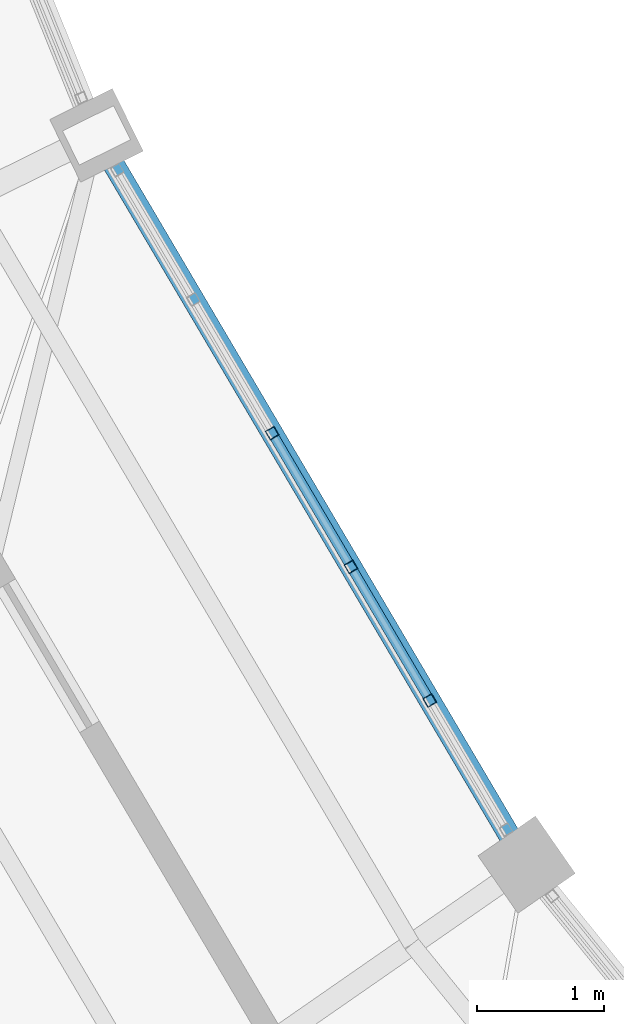
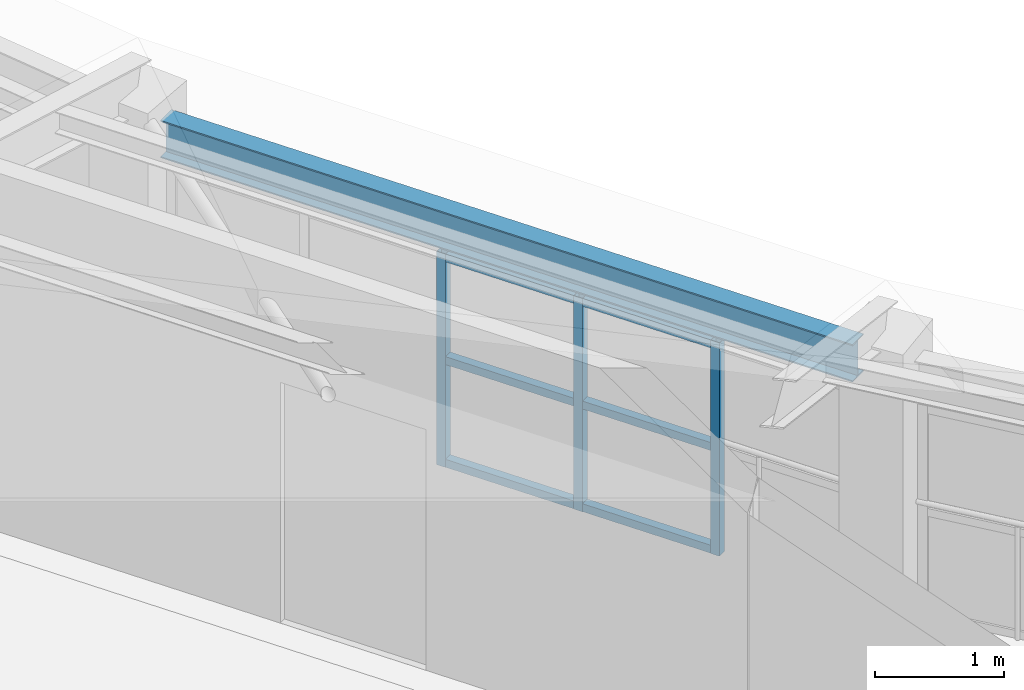
# One storey, part 27 of 149: 9 members, 1 beam, 1 element without a shape of its own.
"""IFC4 building model written with IfcOpenShell, lengths in metres."""

from ifc_helpers import new_model, si_unit, direction, frame, origin, origin_2d, place, context, subcontext, project, spatial, hollow_rectangle, i_section, extrude, material, material_profile, profile_set, type_object, element, aggregate, save


model = new_model("IFC4")

# Units and contexts
model_context = context("Model", 3, precision=1e-05, world=origin(), true_north=direction((0.0, 1.0)))
body_context = subcontext(model_context, "Body", "Model", "MODEL_VIEW")
ifc_project = project(units=[si_unit("LENGTHUNIT", "METRE"), si_unit("AREAUNIT", "SQUARE_METRE"), si_unit("VOLUMEUNIT", "CUBIC_METRE"), si_unit("PLANEANGLEUNIT", "RADIAN"), si_unit("MASSUNIT", "GRAM", prefix="KILO")], contexts=[model_context])

# Site, building, storey
site_placement = place(None, origin())
site = spatial("IfcSite", under=ifc_project, at=site_placement, CompositionType="ELEMENT")
building_placement = place(site_placement, origin())
building = spatial("IfcBuilding", under=site, at=building_placement, Name="Celadon Cloister-Ring School", CompositionType="ELEMENT")
storey_placement = place(building_placement, frame((0.0, 0.0, 12.5)))
storey = spatial("IfcBuildingStorey", under=building, at=storey_placement, Name="L03", CompositionType="ELEMENT", Elevation=12.5)

# Curtain wall, members
ifc_material_1 = material(Name="Aluminium EN AW-6063 T6", Category="aluminium")
curtain_wall_type = type_object("IfcCurtainWallType", Name="CW-02", PredefinedType="USERDEFINED", material=ifc_material_1)
curtain_wall_placement = place(storey_placement, origin())
curtain_wall = element("IfcCurtainWall", 1, at=curtain_wall_placement, inside=storey, type_object=curtain_wall_type, Name="Curtain Wall 0054", ObjectType="CURTAIN WALL", PredefinedType="USERDEFINED")
ifc_material_2 = material(Name="Aluminium EN AW-6063 T6", Category="aluminium")
ifc_material_profile_1 = material_profile(ifc_material_2, hollow_rectangle(XDim=0.080078125, YDim=0.080078125, WallThickness=0.00390625, at=origin_2d()), Name="RHS80X80X4")
ifc_profile_set_1 = profile_set([ifc_material_profile_1], Name="Aluminium EN AW-6063 T6")
member_type_1 = type_object("IfcMemberType", Name="CM-03", PredefinedType="MULLION", material=ifc_profile_set_1)
member_1_placement = place(storey_placement, frame((48.0341796875, 36.730712890625, 0.0), z_axis=(0.0, 0.0, 1.0), x_axis=(0.861424661152, 0.507885374036, 0.0)))
member_1 = element("IfcMember", 2, at=member_1_placement, type_object=member_type_1, Name="CW-02 mullion 3", PredefinedType="MULLION", context=body_context, shape_type="SweptSolid", body=[
    extrude(hollow_rectangle(XDim=0.080078125, YDim=0.080078125, WallThickness=0.00390625, at=origin_2d()), origin(), (0.0, 0.0, 1.0), 2.02001953125),
])
member_2_placement = place(storey_placement, frame((48.65478515625, 35.67822265625, 0.0), z_axis=(0.0, 0.0, 1.0), x_axis=(0.861424661152, 0.507885374036, 0.0)))
member_2 = element("IfcMember", 3, at=member_2_placement, type_object=member_type_1, Name="CW-02 mullion 4", PredefinedType="MULLION", context=body_context, shape_type="SweptSolid", body=[
    extrude(hollow_rectangle(XDim=0.080078125, YDim=0.080078125, WallThickness=0.00390625, at=origin_2d()), origin(), (0.0, 0.0, 1.0), 2.02001953125),
])
member_3_placement = place(storey_placement, frame((49.275390625, 34.62548828125, 0.0), z_axis=(0.0, 0.0, 1.0), x_axis=(0.861424661152, 0.507885374036, 0.0)))
member_3 = element("IfcMember", 4, at=member_3_placement, type_object=member_type_1, Name="CW-02 mullion 5", PredefinedType="MULLION", context=body_context, shape_type="SweptSolid", body=[
    extrude(hollow_rectangle(XDim=0.080078125, YDim=0.080078125, WallThickness=0.00390625, at=origin_2d()), origin(), (0.0, 0.0, 1.0), 2.02001953125),
])
ifc_material_3 = material(Name="Aluminium EN AW-6063 T6", Category="aluminium")
ifc_material_profile_2 = material_profile(ifc_material_3, hollow_rectangle(XDim=0.074951171875, YDim=0.074951171875, WallThickness=0.00390625, at=origin_2d()), Name="RHS75X75X4")
ifc_profile_set_2 = profile_set([ifc_material_profile_2], Name="Aluminium EN AW-6063 T6")
member_type_2 = type_object("IfcMemberType", Name="CTM-03", PredefinedType="USERDEFINED", material=ifc_profile_set_2)
member_4_placement = place(storey_placement, frame((48.054443359375, 36.6962890625, 0.03759765625), z_axis=(0.507972818033, -0.861373099266, 0.0), x_axis=(0.861373099266, 0.507972818033, 0.0)))
member_4 = element("IfcMember", 5, at=member_4_placement, type_object=member_type_2, Name="CW-02 transom 3.1", ObjectType="TRANSOM", PredefinedType="USERDEFINED", context=body_context, shape_type="SweptSolid", body=[
    extrude(hollow_rectangle(XDim=0.074951171875, YDim=0.074951171875, WallThickness=0.00390625, at=origin_2d()), origin(), (0.0, 0.0, 1.0), 1.141845703125),
])
member_5_placement = place(storey_placement, frame((48.054443359375, 36.6962890625, 1.010009765625), z_axis=(0.507972818033, -0.861373099266, 0.0), x_axis=(0.861373099266, 0.507972818033, 0.0)))
member_5 = element("IfcMember", 6, at=member_5_placement, type_object=member_type_2, Name="CW-02 transom 3.2", ObjectType="TRANSOM", PredefinedType="USERDEFINED", context=body_context, shape_type="SweptSolid", body=[
    extrude(hollow_rectangle(XDim=0.074951171875, YDim=0.074951171875, WallThickness=0.00390625, at=origin_2d()), origin(), (0.0, 0.0, 1.0), 1.141845703125),
])
member_6_placement = place(storey_placement, frame((48.054443359375, 36.6962890625, 1.982421875), z_axis=(0.507972818033, -0.861373099266, 0.0), x_axis=(0.861373099266, 0.507972818033, 0.0)))
member_6 = element("IfcMember", 7, at=member_6_placement, type_object=member_type_2, Name="CW-02 transom 3.3", ObjectType="TRANSOM", PredefinedType="USERDEFINED", context=body_context, shape_type="SweptSolid", body=[
    extrude(hollow_rectangle(XDim=0.074951171875, YDim=0.074951171875, WallThickness=0.00390625, at=origin_2d()), origin(), (0.0, 0.0, 1.0), 1.141845703125),
])
member_7_placement = place(storey_placement, frame((48.675048828125, 35.643798828125, 0.03759765625), z_axis=(0.507972818033, -0.861373099266, 0.0), x_axis=(0.861373099266, 0.507972818033, 0.0)))
member_7 = element("IfcMember", 8, at=member_7_placement, type_object=member_type_2, Name="CW-02 transom 4.1", ObjectType="TRANSOM", PredefinedType="USERDEFINED", context=body_context, shape_type="SweptSolid", body=[
    extrude(hollow_rectangle(XDim=0.074951171875, YDim=0.074951171875, WallThickness=0.00390625, at=origin_2d()), origin(), (0.0, 0.0, 1.0), 1.141845703125),
])
member_8_placement = place(storey_placement, frame((48.675048828125, 35.643798828125, 1.010009765625), z_axis=(0.507972818033, -0.861373099266, 0.0), x_axis=(0.861373099266, 0.507972818033, 0.0)))
member_8 = element("IfcMember", 9, at=member_8_placement, type_object=member_type_2, Name="CW-02 transom 4.2", ObjectType="TRANSOM", PredefinedType="USERDEFINED", context=body_context, shape_type="SweptSolid", body=[
    extrude(hollow_rectangle(XDim=0.074951171875, YDim=0.074951171875, WallThickness=0.00390625, at=origin_2d()), origin(), (0.0, 0.0, 1.0), 1.141845703125),
])
member_9_placement = place(storey_placement, frame((48.675048828125, 35.643798828125, 1.982421875), z_axis=(0.507972818033, -0.861373099266, 0.0), x_axis=(0.861373099266, 0.507972818033, 0.0)))
member_9 = element("IfcMember", 10, at=member_9_placement, type_object=member_type_2, Name="CW-02 transom 4.3", ObjectType="TRANSOM", PredefinedType="USERDEFINED", context=body_context, shape_type="SweptSolid", body=[
    extrude(hollow_rectangle(XDim=0.074951171875, YDim=0.074951171875, WallThickness=0.00390625, at=origin_2d()), origin(), (0.0, 0.0, 1.0), 1.141845703125),
])
aggregate(curtain_wall, [member_1, member_2, member_3, member_4, member_5, member_6, member_7, member_8, member_9])

# Beam
ifc_material_4 = material(Name="Structural steel S355JR", Category="steel")
ifc_material_profile_3 = material_profile(ifc_material_4, i_section(OverallWidth=0.1708984375, OverallDepth=0.35498046875, WebThickness=0.007080078125, FlangeThickness=0.01171875, at=origin_2d()), Name="W360X51")
ifc_profile_set_3 = profile_set([ifc_material_profile_3], Name="Structural steel S355JR")
beam_type = type_object("IfcBeamType", Name="GT-08", PredefinedType="USERDEFINED", material=ifc_profile_set_3)
beam_placement = place(storey_placement, frame((46.778076171875, 38.861083984375, 2.27197265625), z_axis=(0.507926281774, -0.861400541144, 0.0), x_axis=(0.861400541144, 0.507926281774, 0.0)))
element("IfcBeam", 11, at=beam_placement, inside=storey, type_object=beam_type, Name="Beam 0545", ObjectType="GIRDER", PredefinedType="USERDEFINED", context=body_context, shape_type="SweptSolid", body=[
    extrude(i_section(OverallWidth=0.1708984375, OverallDepth=0.35498046875, WebThickness=0.007080078125, FlangeThickness=0.01171875, at=origin_2d()), origin(), (0.0, 0.0, 1.0), 6.16796875),
])

save(model, "model.ifc")
